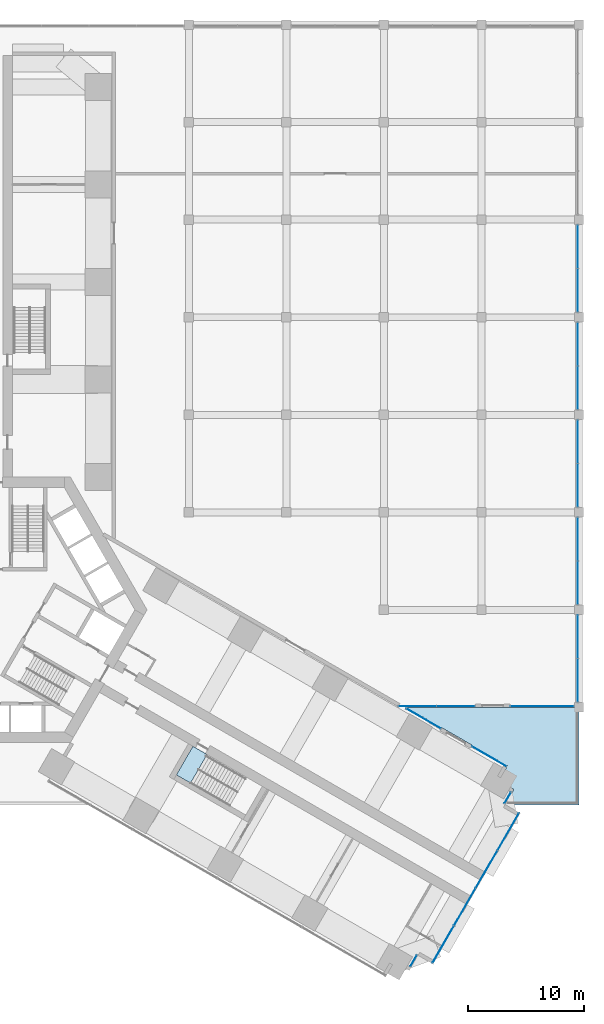
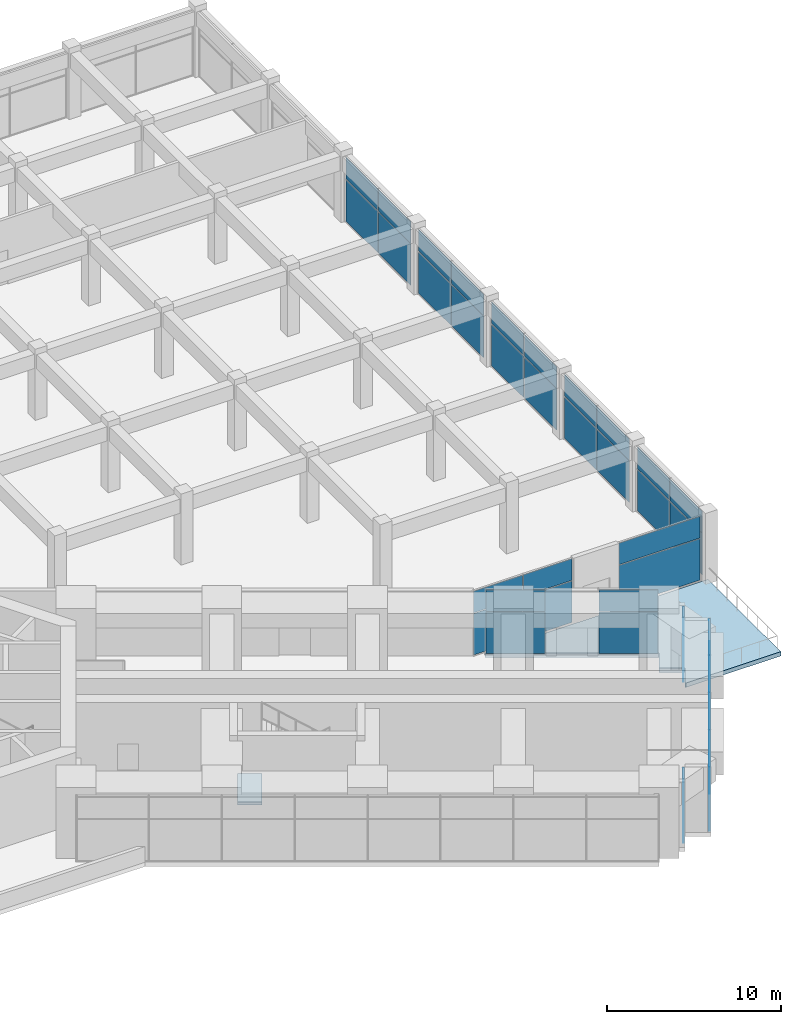
# One storey, part 25 of 33: 42 plates, 2 slabs, 13 elements without a shape of their own.
"""IFC4 building model written with IfcOpenShell, lengths in metres."""

from ifc_helpers import new_model, si_unit, direction, frame, origin, origin_2d, place, context, subcontext, project, spatial, polyline, rectangle, outline, extrude, material, layer, layer_set, type_object, element, aggregate, save


model = new_model("IFC4")

# Units and contexts
model_context = context("Model", 3, precision=1e-05, world=origin(), true_north=direction((0.0, 1.0)))
body_context = subcontext(model_context, "Body", "Model", "MODEL_VIEW")
ifc_project = project(units=[si_unit("LENGTHUNIT", "METRE"), si_unit("AREAUNIT", "SQUARE_METRE"), si_unit("VOLUMEUNIT", "CUBIC_METRE"), si_unit("PLANEANGLEUNIT", "RADIAN"), si_unit("MASSUNIT", "GRAM", prefix="KILO")], contexts=[model_context])

# Site, building, storey
site_placement = place(None, origin())
site = spatial("IfcSite", under=ifc_project, at=site_placement, CompositionType="ELEMENT")
building_placement = place(site_placement, origin())
building = spatial("IfcBuilding", under=site, at=building_placement, Name="Impinga Residences", CompositionType="ELEMENT")
storey_placement = place(building_placement, frame((0.0, 0.0, 21.0)))
storey = spatial("IfcBuildingStorey", under=building, at=storey_placement, Name="L04", CompositionType="ELEMENT", Elevation=21.0)

# Curtain wall, plates
ifc_material_1 = material(Name="Aluminium stick curtain wall", Category="aluminium")
curtain_wall_type = type_object("IfcCurtainWallType", Name="CW1 podium amenity curtain wall", PredefinedType="USERDEFINED", material=ifc_material_1)
curtain_wall_1_placement = place(storey_placement, origin())
curtain_wall_1 = element("IfcCurtainWall", 1, at=curtain_wall_1_placement, inside=storey, type_object=curtain_wall_type, Name="Curtain wall CW1 L04", ObjectType="STICK CURTAIN WALL", PredefinedType="USERDEFINED")
ifc_material_2 = material(Name="Clear double glazing", Category="glass")
ifc_layer_1 = layer(ifc_material_2, 0.028076171875)
ifc_layer_set_1 = layer_set([ifc_layer_1], Name="CW1-P clear double glazed panel 28")
plate_type = type_object("IfcPlateType", Name="CW1-P clear double glazed panel 28", PredefinedType="CURTAIN_PANEL", material=ifc_layer_set_1)
plate_1_placement = place(storey_placement, frame((50.300048828125, 31.283447265625, 0.06005859375), z_axis=(0.0, 0.0, 1.0), x_axis=(0.0, -1.0, 0.0)))
plate_1 = element("IfcPlate", 2, at=plate_1_placement, type_object=plate_type, Name="CW1 panel 1.1", PredefinedType="CURTAIN_PANEL", context=body_context, shape_type="SweptSolid", body=[
    extrude(rectangle(XDim=3.70703125, YDim=0.028076171875, at=origin_2d()), origin(), (0.0, 0.0, 1.0), 2.909912109375),
])
plate_2_placement = place(storey_placement, frame((50.300048828125, 31.283447265625, 3.02978515625), z_axis=(0.0, 0.0, 1.0), x_axis=(0.0, -1.0, 0.0)))
plate_2 = element("IfcPlate", 3, at=plate_2_placement, type_object=plate_type, Name="CW1 panel 1.2", PredefinedType="CURTAIN_PANEL", context=body_context, shape_type="SweptSolid", body=[
    extrude(rectangle(XDim=3.70703125, YDim=0.028076171875, at=origin_2d()), origin(), (0.0, 0.0, 1.0), 1.510009765625),
])
plate_3_placement = place(storey_placement, frame((50.300048828125, 27.5166015625, 0.06005859375), z_axis=(0.0, 0.0, 1.0), x_axis=(0.0, -1.0, 0.0)))
plate_3 = element("IfcPlate", 4, at=plate_3_placement, type_object=plate_type, Name="CW1 panel 2.1", PredefinedType="CURTAIN_PANEL", context=body_context, shape_type="SweptSolid", body=[
    extrude(rectangle(XDim=3.70703125, YDim=0.028076171875, at=origin_2d()), origin(), (0.0, 0.0, 1.0), 2.909912109375),
])
plate_4_placement = place(storey_placement, frame((50.300048828125, 27.5166015625, 3.02978515625), z_axis=(0.0, 0.0, 1.0), x_axis=(0.0, -1.0, 0.0)))
plate_4 = element("IfcPlate", 5, at=plate_4_placement, type_object=plate_type, Name="CW1 panel 2.2", PredefinedType="CURTAIN_PANEL", context=body_context, shape_type="SweptSolid", body=[
    extrude(rectangle(XDim=3.70703125, YDim=0.028076171875, at=origin_2d()), origin(), (0.0, 0.0, 1.0), 1.510009765625),
])
aggregate(curtain_wall_1, [plate_1, plate_2, plate_3, plate_4])

curtain_wall_2_placement = place(storey_placement, origin())
curtain_wall_2 = element("IfcCurtainWall", 6, at=curtain_wall_2_placement, inside=storey, type_object=curtain_wall_type, Name="Curtain wall CW1 L04", ObjectType="STICK CURTAIN WALL", PredefinedType="USERDEFINED")
plate_5_placement = place(storey_placement, frame((50.300048828125, 22.883544921875, 0.06005859375), z_axis=(0.0, 0.0, 1.0), x_axis=(0.0, -1.0, 0.0)))
plate_5 = element("IfcPlate", 7, at=plate_5_placement, type_object=plate_type, Name="CW1 panel 1.1", PredefinedType="CURTAIN_PANEL", context=body_context, shape_type="SweptSolid", body=[
    extrude(rectangle(XDim=3.70703125, YDim=0.028076171875, at=origin_2d()), origin(), (0.0, 0.0, 1.0), 2.909912109375),
])
plate_6_placement = place(storey_placement, frame((50.300048828125, 22.883544921875, 3.02978515625), z_axis=(0.0, 0.0, 1.0), x_axis=(0.0, -1.0, 0.0)))
plate_6 = element("IfcPlate", 8, at=plate_6_placement, type_object=plate_type, Name="CW1 panel 1.2", PredefinedType="CURTAIN_PANEL", context=body_context, shape_type="SweptSolid", body=[
    extrude(rectangle(XDim=3.70703125, YDim=0.028076171875, at=origin_2d()), origin(), (0.0, 0.0, 1.0), 1.510009765625),
])
plate_7_placement = place(storey_placement, frame((50.300048828125, 19.116455078125, 0.06005859375), z_axis=(0.0, 0.0, 1.0), x_axis=(0.0, -1.0, 0.0)))
plate_7 = element("IfcPlate", 9, at=plate_7_placement, type_object=plate_type, Name="CW1 panel 2.1", PredefinedType="CURTAIN_PANEL", context=body_context, shape_type="SweptSolid", body=[
    extrude(rectangle(XDim=3.70703125, YDim=0.028076171875, at=origin_2d()), origin(), (0.0, 0.0, 1.0), 2.909912109375),
])
plate_8_placement = place(storey_placement, frame((50.300048828125, 19.116455078125, 3.02978515625), z_axis=(0.0, 0.0, 1.0), x_axis=(0.0, -1.0, 0.0)))
plate_8 = element("IfcPlate", 10, at=plate_8_placement, type_object=plate_type, Name="CW1 panel 2.2", PredefinedType="CURTAIN_PANEL", context=body_context, shape_type="SweptSolid", body=[
    extrude(rectangle(XDim=3.70703125, YDim=0.028076171875, at=origin_2d()), origin(), (0.0, 0.0, 1.0), 1.510009765625),
])
aggregate(curtain_wall_2, [plate_5, plate_6, plate_7, plate_8])

curtain_wall_3_placement = place(storey_placement, origin())
curtain_wall_3 = element("IfcCurtainWall", 11, at=curtain_wall_3_placement, inside=storey, type_object=curtain_wall_type, Name="Curtain wall CW1 L04", ObjectType="STICK CURTAIN WALL", PredefinedType="USERDEFINED")
plate_9_placement = place(storey_placement, frame((50.300048828125, 14.4833984375, 0.06005859375), z_axis=(0.0, 0.0, 1.0), x_axis=(0.0, -1.0, 0.0)))
plate_9 = element("IfcPlate", 12, at=plate_9_placement, type_object=plate_type, Name="CW1 panel 1.1", PredefinedType="CURTAIN_PANEL", context=body_context, shape_type="SweptSolid", body=[
    extrude(rectangle(XDim=3.70703125, YDim=0.028076171875, at=origin_2d()), origin(), (0.0, 0.0, 1.0), 2.909912109375),
])
plate_10_placement = place(storey_placement, frame((50.300048828125, 14.4833984375, 3.02978515625), z_axis=(0.0, 0.0, 1.0), x_axis=(0.0, -1.0, 0.0)))
plate_10 = element("IfcPlate", 13, at=plate_10_placement, type_object=plate_type, Name="CW1 panel 1.2", PredefinedType="CURTAIN_PANEL", context=body_context, shape_type="SweptSolid", body=[
    extrude(rectangle(XDim=3.70703125, YDim=0.028076171875, at=origin_2d()), origin(), (0.0, 0.0, 1.0), 1.510009765625),
])
plate_11_placement = place(storey_placement, frame((50.300048828125, 10.716552734375, 0.06005859375), z_axis=(0.0, 0.0, 1.0), x_axis=(0.0, -1.0, 0.0)))
plate_11 = element("IfcPlate", 14, at=plate_11_placement, type_object=plate_type, Name="CW1 panel 2.1", PredefinedType="CURTAIN_PANEL", context=body_context, shape_type="SweptSolid", body=[
    extrude(rectangle(XDim=3.70703125, YDim=0.028076171875, at=origin_2d()), origin(), (0.0, 0.0, 1.0), 2.909912109375),
])
plate_12_placement = place(storey_placement, frame((50.300048828125, 10.716552734375, 3.02978515625), z_axis=(0.0, 0.0, 1.0), x_axis=(0.0, -1.0, 0.0)))
plate_12 = element("IfcPlate", 15, at=plate_12_placement, type_object=plate_type, Name="CW1 panel 2.2", PredefinedType="CURTAIN_PANEL", context=body_context, shape_type="SweptSolid", body=[
    extrude(rectangle(XDim=3.70703125, YDim=0.028076171875, at=origin_2d()), origin(), (0.0, 0.0, 1.0), 1.510009765625),
])
aggregate(curtain_wall_3, [plate_9, plate_10, plate_11, plate_12])

curtain_wall_4_placement = place(storey_placement, origin())
curtain_wall_4 = element("IfcCurtainWall", 16, at=curtain_wall_4_placement, inside=storey, type_object=curtain_wall_type, Name="Curtain wall CW1 L04", ObjectType="STICK CURTAIN WALL", PredefinedType="USERDEFINED")
plate_13_placement = place(storey_placement, frame((50.300048828125, 6.08349609375, 0.06005859375), z_axis=(0.0, 0.0, 1.0), x_axis=(0.0, -1.0, 0.0)))
plate_13 = element("IfcPlate", 17, at=plate_13_placement, type_object=plate_type, Name="CW1 panel 1.1", PredefinedType="CURTAIN_PANEL", context=body_context, shape_type="SweptSolid", body=[
    extrude(rectangle(XDim=3.70703125, YDim=0.028076171875, at=origin_2d()), origin(), (0.0, 0.0, 1.0), 2.909912109375),
])
plate_14_placement = place(storey_placement, frame((50.300048828125, 6.08349609375, 3.02978515625), z_axis=(0.0, 0.0, 1.0), x_axis=(0.0, -1.0, 0.0)))
plate_14 = element("IfcPlate", 18, at=plate_14_placement, type_object=plate_type, Name="CW1 panel 1.2", PredefinedType="CURTAIN_PANEL", context=body_context, shape_type="SweptSolid", body=[
    extrude(rectangle(XDim=3.70703125, YDim=0.028076171875, at=origin_2d()), origin(), (0.0, 0.0, 1.0), 1.510009765625),
])
plate_15_placement = place(storey_placement, frame((50.300048828125, 2.31640625, 0.06005859375), z_axis=(0.0, 0.0, 1.0), x_axis=(0.0, -1.0, 0.0)))
plate_15 = element("IfcPlate", 19, at=plate_15_placement, type_object=plate_type, Name="CW1 panel 2.1", PredefinedType="CURTAIN_PANEL", context=body_context, shape_type="SweptSolid", body=[
    extrude(rectangle(XDim=3.70703125, YDim=0.028076171875, at=origin_2d()), origin(), (0.0, 0.0, 1.0), 2.909912109375),
])
plate_16_placement = place(storey_placement, frame((50.300048828125, 2.31640625, 3.02978515625), z_axis=(0.0, 0.0, 1.0), x_axis=(0.0, -1.0, 0.0)))
plate_16 = element("IfcPlate", 20, at=plate_16_placement, type_object=plate_type, Name="CW1 panel 2.2", PredefinedType="CURTAIN_PANEL", context=body_context, shape_type="SweptSolid", body=[
    extrude(rectangle(XDim=3.70703125, YDim=0.028076171875, at=origin_2d()), origin(), (0.0, 0.0, 1.0), 1.510009765625),
])
aggregate(curtain_wall_4, [plate_13, plate_14, plate_15, plate_16])

curtain_wall_5_placement = place(storey_placement, origin())
curtain_wall_5 = element("IfcCurtainWall", 21, at=curtain_wall_5_placement, inside=storey, type_object=curtain_wall_type, Name="Curtain wall CW1 L04", ObjectType="STICK CURTAIN WALL", PredefinedType="USERDEFINED")
plate_17_placement = place(storey_placement, frame((50.300048828125, -2.31640625, 0.06005859375), z_axis=(0.0, 0.0, 1.0), x_axis=(0.0, -1.0, 0.0)))
plate_17 = element("IfcPlate", 22, at=plate_17_placement, type_object=plate_type, Name="CW1 panel 1.1", PredefinedType="CURTAIN_PANEL", context=body_context, shape_type="SweptSolid", body=[
    extrude(rectangle(XDim=3.70703125, YDim=0.028076171875, at=origin_2d()), origin(), (0.0, 0.0, 1.0), 2.909912109375),
])
plate_18_placement = place(storey_placement, frame((50.300048828125, -2.31640625, 3.02978515625), z_axis=(0.0, 0.0, 1.0), x_axis=(0.0, -1.0, 0.0)))
plate_18 = element("IfcPlate", 23, at=plate_18_placement, type_object=plate_type, Name="CW1 panel 1.2", PredefinedType="CURTAIN_PANEL", context=body_context, shape_type="SweptSolid", body=[
    extrude(rectangle(XDim=3.70703125, YDim=0.028076171875, at=origin_2d()), origin(), (0.0, 0.0, 1.0), 1.510009765625),
])
plate_19_placement = place(storey_placement, frame((50.300048828125, -6.08349609375, 0.06005859375), z_axis=(0.0, 0.0, 1.0), x_axis=(0.0, -1.0, 0.0)))
plate_19 = element("IfcPlate", 24, at=plate_19_placement, type_object=plate_type, Name="CW1 panel 2.1", PredefinedType="CURTAIN_PANEL", context=body_context, shape_type="SweptSolid", body=[
    extrude(rectangle(XDim=3.70703125, YDim=0.028076171875, at=origin_2d()), origin(), (0.0, 0.0, 1.0), 2.909912109375),
])
plate_20_placement = place(storey_placement, frame((50.300048828125, -6.08349609375, 3.02978515625), z_axis=(0.0, 0.0, 1.0), x_axis=(0.0, -1.0, 0.0)))
plate_20 = element("IfcPlate", 25, at=plate_20_placement, type_object=plate_type, Name="CW1 panel 2.2", PredefinedType="CURTAIN_PANEL", context=body_context, shape_type="SweptSolid", body=[
    extrude(rectangle(XDim=3.70703125, YDim=0.028076171875, at=origin_2d()), origin(), (0.0, 0.0, 1.0), 1.510009765625),
])
aggregate(curtain_wall_5, [plate_17, plate_18, plate_19, plate_20])

curtain_wall_6_placement = place(storey_placement, origin())
curtain_wall_6 = element("IfcCurtainWall", 26, at=curtain_wall_6_placement, inside=storey, type_object=curtain_wall_type, Name="Curtain wall CW1 L04", ObjectType="STICK CURTAIN WALL", PredefinedType="USERDEFINED")
plate_21_placement = place(storey_placement, frame((47.23583984375, -8.300048828125, 0.06005859375), z_axis=(0.0, 0.0, 1.0), x_axis=(-1.0, 0.0, 0.0)))
plate_21 = element("IfcPlate", 27, at=plate_21_placement, type_object=plate_type, Name="CW1 panel 1.1", PredefinedType="CURTAIN_PANEL", context=body_context, shape_type="SweptSolid", body=[
    extrude(rectangle(XDim=5.40234375, YDim=0.028076171875, at=origin_2d()), origin(), (0.0, 0.0, 1.0), 2.909912109375),
])
plate_22_placement = place(storey_placement, frame((47.23583984375, -8.300048828125, 3.02978515625), z_axis=(0.0, 0.0, 1.0), x_axis=(-1.0, 0.0, 0.0)))
plate_22 = element("IfcPlate", 28, at=plate_22_placement, type_object=plate_type, Name="CW1 panel 1.2", PredefinedType="CURTAIN_PANEL", context=body_context, shape_type="SweptSolid", body=[
    extrude(rectangle(XDim=5.40234375, YDim=0.028076171875, at=origin_2d()), origin(), (0.0, 0.0, 1.0), 1.510009765625),
])
aggregate(curtain_wall_6, [plate_21, plate_22])

curtain_wall_7_placement = place(storey_placement, origin())
curtain_wall_7 = element("IfcCurtainWall", 29, at=curtain_wall_7_placement, inside=storey, type_object=curtain_wall_type, Name="Curtain wall CW1 L04", ObjectType="STICK CURTAIN WALL", PredefinedType="USERDEFINED")
plate_23_placement = place(storey_placement, frame((39.791748046875, -8.300048828125, 0.06005859375), z_axis=(0.0, 0.0, 1.0), x_axis=(-1.0, 0.0, 0.0)))
plate_23 = element("IfcPlate", 30, at=plate_23_placement, type_object=plate_type, Name="CW1 panel 1.1", PredefinedType="CURTAIN_PANEL", context=body_context, shape_type="SweptSolid", body=[
    extrude(rectangle(XDim=3.245849609375, YDim=0.028076171875, at=origin_2d()), origin(), (0.0, 0.0, 1.0), 2.909912109375),
])
plate_24_placement = place(storey_placement, frame((39.791748046875, -8.300048828125, 3.02978515625), z_axis=(0.0, 0.0, 1.0), x_axis=(-1.0, 0.0, 0.0)))
plate_24 = element("IfcPlate", 31, at=plate_24_placement, type_object=plate_type, Name="CW1 panel 1.2", PredefinedType="CURTAIN_PANEL", context=body_context, shape_type="SweptSolid", body=[
    extrude(rectangle(XDim=3.245849609375, YDim=0.028076171875, at=origin_2d()), origin(), (0.0, 0.0, 1.0), 1.510009765625),
])
plate_25_placement = place(storey_placement, frame((36.48583984375, -8.300048828125, 0.06005859375), z_axis=(0.0, 0.0, 1.0), x_axis=(-1.0, 0.0, 0.0)))
plate_25 = element("IfcPlate", 32, at=plate_25_placement, type_object=plate_type, Name="CW1 panel 2.1", PredefinedType="CURTAIN_PANEL", context=body_context, shape_type="SweptSolid", body=[
    extrude(rectangle(XDim=3.245849609375, YDim=0.028076171875, at=origin_2d()), origin(), (0.0, 0.0, 1.0), 2.909912109375),
])
plate_26_placement = place(storey_placement, frame((36.48583984375, -8.300048828125, 3.02978515625), z_axis=(0.0, 0.0, 1.0), x_axis=(-1.0, 0.0, 0.0)))
plate_26 = element("IfcPlate", 33, at=plate_26_placement, type_object=plate_type, Name="CW1 panel 2.2", PredefinedType="CURTAIN_PANEL", context=body_context, shape_type="SweptSolid", body=[
    extrude(rectangle(XDim=3.245849609375, YDim=0.028076171875, at=origin_2d()), origin(), (0.0, 0.0, 1.0), 1.510009765625),
])
aggregate(curtain_wall_7, [plate_23, plate_24, plate_25, plate_26])

curtain_wall_8_placement = place(storey_placement, origin())
curtain_wall_8 = element("IfcCurtainWall", 34, at=curtain_wall_8_placement, inside=storey, type_object=curtain_wall_type, Name="Curtain wall CW1 L04", ObjectType="STICK CURTAIN WALL", PredefinedType="USERDEFINED")
plate_27_placement = place(storey_placement, frame((37.0244140625, -9.3671875, 0.06005859375), z_axis=(0.0, 0.0, 1.0), x_axis=(0.866025440349, -0.499999936668, 0.0)))
plate_27 = element("IfcPlate", 35, at=plate_27_placement, type_object=plate_type, Name="CW1 panel 1.1", PredefinedType="CURTAIN_PANEL", context=body_context, shape_type="SweptSolid", body=[
    extrude(rectangle(XDim=3.402587890625, YDim=0.028076171875, at=origin_2d()), origin(), (0.0, 0.0, 1.0), 2.909912109375),
])
plate_28_placement = place(storey_placement, frame((37.0244140625, -9.3671875, 3.02978515625), z_axis=(0.0, 0.0, 1.0), x_axis=(0.866025440349, -0.499999936668, 0.0)))
plate_28 = element("IfcPlate", 36, at=plate_28_placement, type_object=plate_type, Name="CW1 panel 1.2", PredefinedType="CURTAIN_PANEL", context=body_context, shape_type="SweptSolid", body=[
    extrude(rectangle(XDim=3.402587890625, YDim=0.028076171875, at=origin_2d()), origin(), (0.0, 0.0, 1.0), 1.510009765625),
])
aggregate(curtain_wall_8, [plate_27, plate_28])

curtain_wall_9_placement = place(storey_placement, origin())
curtain_wall_9 = element("IfcCurtainWall", 37, at=curtain_wall_9_placement, inside=storey, type_object=curtain_wall_type, Name="Curtain wall CW1 L04", ObjectType="STICK CURTAIN WALL", PredefinedType="USERDEFINED")
plate_29_placement = place(storey_placement, frame((42.673095703125, -12.62841796875, 0.06005859375), z_axis=(0.0, 0.0, 1.0), x_axis=(0.866025511323, -0.499999813738, 0.0)))
plate_29 = element("IfcPlate", 38, at=plate_29_placement, type_object=plate_type, Name="CW1 panel 1.1", PredefinedType="CURTAIN_PANEL", context=body_context, shape_type="SweptSolid", body=[
    extrude(rectangle(XDim=3.402587890625, YDim=0.028076171875, at=origin_2d()), origin(), (0.0, 0.0, 1.0), 2.909912109375),
])
plate_30_placement = place(storey_placement, frame((42.673095703125, -12.62841796875, 3.02978515625), z_axis=(0.0, 0.0, 1.0), x_axis=(0.866025511323, -0.499999813738, 0.0)))
plate_30 = element("IfcPlate", 39, at=plate_30_placement, type_object=plate_type, Name="CW1 panel 1.2", PredefinedType="CURTAIN_PANEL", context=body_context, shape_type="SweptSolid", body=[
    extrude(rectangle(XDim=3.402587890625, YDim=0.028076171875, at=origin_2d()), origin(), (0.0, 0.0, 1.0), 1.510009765625),
])
aggregate(curtain_wall_9, [plate_29, plate_30])

curtain_wall_10_placement = place(storey_placement, origin())
curtain_wall_10 = element("IfcCurtainWall", 40, at=curtain_wall_10_placement, inside=storey, type_object=curtain_wall_type, Name="Curtain wall CW1 L04", ObjectType="STICK CURTAIN WALL", PredefinedType="USERDEFINED")
plate_31_placement = place(storey_placement, frame((44.260986328125, -16.200927734375, 0.06005859375), z_axis=(0.0, 0.0, 1.0), x_axis=(-0.50000017485, -0.866025302835, 0.0)))
plate_31 = element("IfcPlate", 41, at=plate_31_placement, type_object=plate_type, Name="CW1 panel 1.1", PredefinedType="CURTAIN_PANEL", context=body_context, shape_type="SweptSolid", body=[
    extrude(rectangle(XDim=1.080078125, YDim=0.028076171875, at=origin_2d()), origin(), (0.0, 0.0, 1.0), 2.909912109375),
])
plate_32_placement = place(storey_placement, frame((44.260986328125, -16.200927734375, 3.02978515625), z_axis=(0.0, 0.0, 1.0), x_axis=(-0.50000017485, -0.866025302835, 0.0)))
plate_32 = element("IfcPlate", 42, at=plate_32_placement, type_object=plate_type, Name="CW1 panel 1.2", PredefinedType="CURTAIN_PANEL", context=body_context, shape_type="SweptSolid", body=[
    extrude(rectangle(XDim=1.080078125, YDim=0.028076171875, at=origin_2d()), origin(), (0.0, 0.0, 1.0), 1.510009765625),
])
aggregate(curtain_wall_10, [plate_31, plate_32])

curtain_wall_11_placement = place(storey_placement, origin())
curtain_wall_11 = element("IfcCurtainWall", 43, at=curtain_wall_11_placement, inside=storey, type_object=curtain_wall_type, Name="Curtain wall CW1 L04", ObjectType="STICK CURTAIN WALL", PredefinedType="USERDEFINED")
plate_33_placement = place(storey_placement, frame((44.31494140625, -19.107421875, 0.06005859375), z_axis=(0.0, 0.0, 1.0), x_axis=(-0.500000001632, -0.866025402842, 0.0)))
plate_33 = element("IfcPlate", 44, at=plate_33_placement, type_object=plate_type, Name="CW1 panel 1.1", PredefinedType="CURTAIN_PANEL", context=body_context, shape_type="SweptSolid", body=[
    extrude(rectangle(XDim=3.659912109375, YDim=0.028076171875, at=origin_2d()), origin(), (0.0, 0.0, 1.0), 2.909912109375),
])
plate_34_placement = place(storey_placement, frame((44.31494140625, -19.107421875, 3.02978515625), z_axis=(0.0, 0.0, 1.0), x_axis=(-0.500000001632, -0.866025402842, 0.0)))
plate_34 = element("IfcPlate", 45, at=plate_34_placement, type_object=plate_type, Name="CW1 panel 1.2", PredefinedType="CURTAIN_PANEL", context=body_context, shape_type="SweptSolid", body=[
    extrude(rectangle(XDim=3.659912109375, YDim=0.028076171875, at=origin_2d()), origin(), (0.0, 0.0, 1.0), 1.510009765625),
])
plate_35_placement = place(storey_placement, frame((42.447509765625, -22.342041015625, 0.06005859375), z_axis=(0.0, 0.0, 1.0), x_axis=(-0.500000001632, -0.866025402842, 0.0)))
plate_35 = element("IfcPlate", 46, at=plate_35_placement, type_object=plate_type, Name="CW1 panel 2.1", PredefinedType="CURTAIN_PANEL", context=body_context, shape_type="SweptSolid", body=[
    extrude(rectangle(XDim=3.68994140625, YDim=0.028076171875, at=origin_2d()), origin(), (0.0, 0.0, 1.0), 2.909912109375),
])
plate_36_placement = place(storey_placement, frame((42.447509765625, -22.342041015625, 3.02978515625), z_axis=(0.0, 0.0, 1.0), x_axis=(-0.500000001632, -0.866025402842, 0.0)))
plate_36 = element("IfcPlate", 47, at=plate_36_placement, type_object=plate_type, Name="CW1 panel 2.2", PredefinedType="CURTAIN_PANEL", context=body_context, shape_type="SweptSolid", body=[
    extrude(rectangle(XDim=3.68994140625, YDim=0.028076171875, at=origin_2d()), origin(), (0.0, 0.0, 1.0), 1.510009765625),
])
plate_37_placement = place(storey_placement, frame((40.572509765625, -25.589599609375, 0.06005859375), z_axis=(0.0, 0.0, 1.0), x_axis=(-0.500000001632, -0.866025402842, 0.0)))
plate_37 = element("IfcPlate", 48, at=plate_37_placement, type_object=plate_type, Name="CW1 panel 3.1", PredefinedType="CURTAIN_PANEL", context=body_context, shape_type="SweptSolid", body=[
    extrude(rectangle(XDim=3.68994140625, YDim=0.028076171875, at=origin_2d()), origin(), (0.0, 0.0, 1.0), 2.909912109375),
])
plate_38_placement = place(storey_placement, frame((40.572509765625, -25.589599609375, 3.02978515625), z_axis=(0.0, 0.0, 1.0), x_axis=(-0.500000001632, -0.866025402842, 0.0)))
plate_38 = element("IfcPlate", 49, at=plate_38_placement, type_object=plate_type, Name="CW1 panel 3.2", PredefinedType="CURTAIN_PANEL", context=body_context, shape_type="SweptSolid", body=[
    extrude(rectangle(XDim=3.68994140625, YDim=0.028076171875, at=origin_2d()), origin(), (0.0, 0.0, 1.0), 1.510009765625),
])
plate_39_placement = place(storey_placement, frame((38.704833984375, -28.82421875, 0.06005859375), z_axis=(0.0, 0.0, 1.0), x_axis=(-0.500000001632, -0.866025402842, 0.0)))
plate_39 = element("IfcPlate", 50, at=plate_39_placement, type_object=plate_type, Name="CW1 panel 4.1", PredefinedType="CURTAIN_PANEL", context=body_context, shape_type="SweptSolid", body=[
    extrude(rectangle(XDim=3.659912109375, YDim=0.028076171875, at=origin_2d()), origin(), (0.0, 0.0, 1.0), 2.909912109375),
])
plate_40_placement = place(storey_placement, frame((38.704833984375, -28.82421875, 3.02978515625), z_axis=(0.0, 0.0, 1.0), x_axis=(-0.500000001632, -0.866025402842, 0.0)))
plate_40 = element("IfcPlate", 51, at=plate_40_placement, type_object=plate_type, Name="CW1 panel 4.2", PredefinedType="CURTAIN_PANEL", context=body_context, shape_type="SweptSolid", body=[
    extrude(rectangle(XDim=3.659912109375, YDim=0.028076171875, at=origin_2d()), origin(), (0.0, 0.0, 1.0), 1.510009765625),
])
aggregate(curtain_wall_11, [plate_33, plate_34, plate_35, plate_36, plate_37, plate_38, plate_39, plate_40])

curtain_wall_12_placement = place(storey_placement, origin())
curtain_wall_12 = element("IfcCurtainWall", 52, at=curtain_wall_12_placement, inside=storey, type_object=curtain_wall_type, Name="Curtain wall CW1 L04", ObjectType="STICK CURTAIN WALL", PredefinedType="USERDEFINED")
plate_41_placement = place(storey_placement, frame((36.160888671875, -30.23046875, 0.06005859375), z_axis=(0.0, 0.0, 1.0), x_axis=(-0.499999813995, -0.866025511175, 0.0)))
plate_41 = element("IfcPlate", 53, at=plate_41_placement, type_object=plate_type, Name="CW1 panel 1.1", PredefinedType="CURTAIN_PANEL", context=body_context, shape_type="SweptSolid", body=[
    extrude(rectangle(XDim=1.080078125, YDim=0.028076171875, at=origin_2d()), origin(), (0.0, 0.0, 1.0), 2.909912109375),
])
plate_42_placement = place(storey_placement, frame((36.160888671875, -30.23046875, 3.02978515625), z_axis=(0.0, 0.0, 1.0), x_axis=(-0.499999813995, -0.866025511175, 0.0)))
plate_42 = element("IfcPlate", 54, at=plate_42_placement, type_object=plate_type, Name="CW1 panel 1.2", PredefinedType="CURTAIN_PANEL", context=body_context, shape_type="SweptSolid", body=[
    extrude(rectangle(XDim=1.080078125, YDim=0.028076171875, at=origin_2d()), origin(), (0.0, 0.0, 1.0), 1.510009765625),
])
aggregate(curtain_wall_12, [plate_41, plate_42])

# Stair, slab
ifc_material_3 = material(Name="Concrete C40/50", Category="concrete")
stair_type = type_object("IfcStairType", Name="STR wing stair 5000 storey, 30 risers", PredefinedType="HALF_TURN_STAIR", material=ifc_material_3)
stair_placement = place(storey_placement, origin())
stair = element("IfcStair", 55, at=stair_placement, inside=storey, type_object=stair_type, Name="Stair WS3 L04", PredefinedType="HALF_TURN_STAIR")
ifc_layer_2 = layer(ifc_material_3, 0.199951171875)
ifc_layer_set_2 = layer_set([ifc_layer_2], Name="Concrete C40/50")
slab_type_1 = type_object("IfcSlabType", Name="LS1 stair landing 200", PredefinedType="LANDING", material=ifc_layer_set_2)
slab_1_placement = place(storey_placement, frame((0.0, 0.0, -0.199951171875)))
slab_1 = element("IfcSlab", 56, at=slab_1_placement, type_object=slab_type_1, Name="WS3 landing 1", PredefinedType="LANDING", context=body_context, shape_type="SweptSolid", body=[
    extrude(outline(polyline([(17.154052734375, -11.75146484375), (15.72900390625, -14.219482421875), (16.9501953125, -14.924560546875), (18.375244140625, -12.456298828125), (17.154052734375, -11.75146484375)])), origin(), (0.0, 0.0, 1.0), 0.199951171875),
])
aggregate(stair, [slab_1])

# Slab
ifc_material_4 = material(Name="Concrete C60/75", Category="concrete")
ifc_layer_3 = layer(ifc_material_4, 0.300048828125)
ifc_layer_set_3 = layer_set([ifc_layer_3], Name="Concrete C60/75")
slab_type_2 = type_object("IfcSlabType", Name="TS1 podium terrace slab 300", PredefinedType="ROOF", material=ifc_layer_set_3)
slab_2_placement = place(storey_placement, frame((0.0, 0.0, -0.300048828125)))
element("IfcSlab", 57, at=slab_2_placement, inside=storey, type_object=slab_type_2, Name="Podium terrace TS1 L04", PredefinedType="ROOF", context=body_context, shape_type="SweptSolid", body=[
    extrude(outline(polyline([(50.39990234375, -16.800048828125), (44.100341796875, -16.800048828125), (44.048828125, -16.770263671875), (44.79833984375, -15.471923828125), (44.79833984375, -15.471923828125), (44.79833984375, -15.471923828125), (44.798583984375, -15.4716796875), (44.798583984375, -15.4716796875), (44.798583984375, -15.4716796875), (44.798583984375, -15.471435546875), (44.798583984375, -15.471435546875), (44.79833984375, -15.47119140625), (44.79833984375, -15.47119140625), (44.79833984375, -15.47119140625), (44.79833984375, -15.470947265625), (44.79833984375, -15.470947265625), (44.79833984375, -15.470947265625), (44.798095703125, -15.470703125), (44.798095703125, -15.470703125), (44.798095703125, -15.470703125), (43.499755859375, -14.72119140625), (44.249267578125, -13.423095703125), (44.249267578125, -13.4228515625), (44.24951171875, -13.4228515625), (44.24951171875, -13.422607421875), (44.24951171875, -13.422607421875), (44.24951171875, -13.422607421875), (44.24951171875, -13.42236328125), (44.24951171875, -13.42236328125), (44.24951171875, -13.42236328125), (44.249267578125, -13.422119140625), (44.249267578125, -13.422119140625), (44.249267578125, -13.421875), (44.249267578125, -13.421875), (44.249267578125, -13.421875), (44.2490234375, -13.421630859375), (44.2490234375, -13.421630859375), (44.2490234375, -13.421630859375), (35.552978515625, -8.40087890625), (50.39990234375, -8.40087890625), (50.39990234375, -16.800048828125)])), origin(), (0.0, 0.0, 1.0), 0.300048828125),
])

save(model, "model.ifc")
